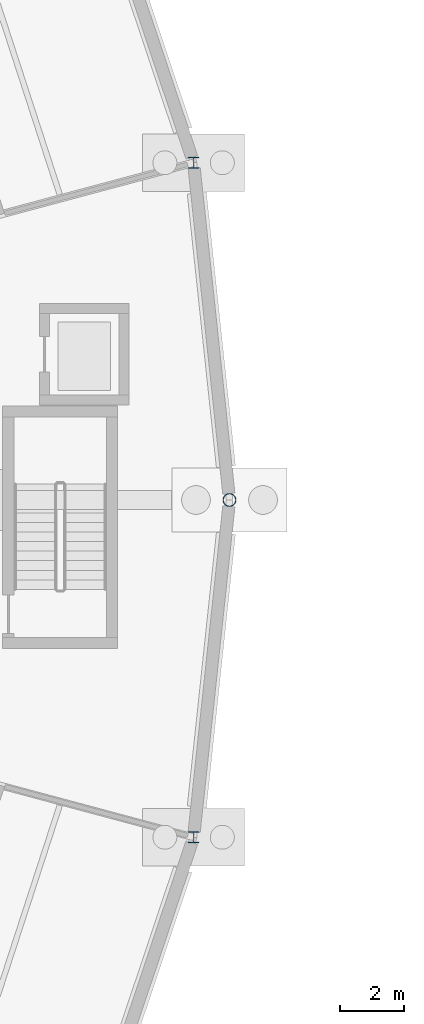
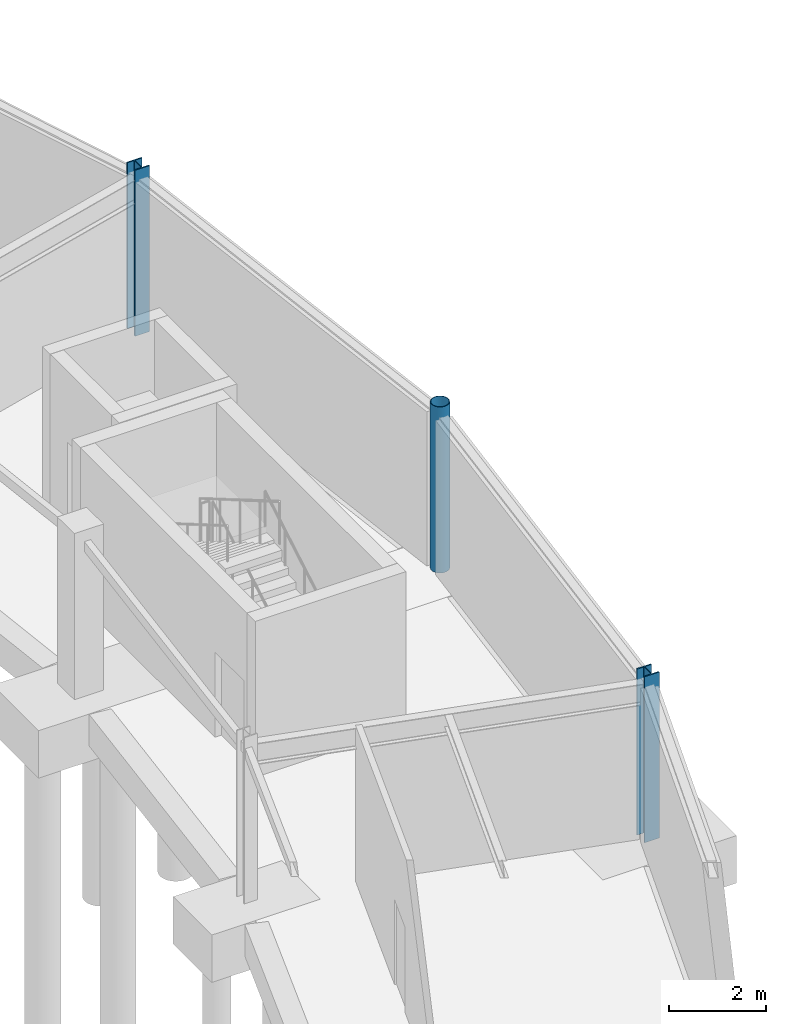
# One storey, part 17 of 58: 3 columns.
"""IFC4 building model written with IfcOpenShell, lengths in metres."""

from ifc_helpers import new_model, si_unit, direction, frame, origin, origin_2d, place, context, subcontext, project, spatial, hollow_circle, i_section, extrude, material, material_profile, profile_set, type_object, element, save


model = new_model("IFC4")

# Units and contexts
model_context = context("Model", 3, precision=1e-05, world=origin(), true_north=direction((0.0, 1.0)))
body_context = subcontext(model_context, "Body", "Model", "MODEL_VIEW")
ifc_project = project(units=[si_unit("LENGTHUNIT", "METRE"), si_unit("AREAUNIT", "SQUARE_METRE"), si_unit("VOLUMEUNIT", "CUBIC_METRE"), si_unit("PLANEANGLEUNIT", "RADIAN"), si_unit("MASSUNIT", "GRAM", prefix="KILO")], contexts=[model_context])

# Site, building, storey
site_placement = place(None, origin())
site = spatial("IfcSite", under=ifc_project, at=site_placement, CompositionType="ELEMENT")
building_placement = place(site_placement, origin())
building = spatial("IfcBuilding", under=site, at=building_placement, Name="Karori Crest Natural Sciences Institute", CompositionType="ELEMENT")
storey_placement = place(building_placement, frame((0.0, 0.0, -4.199951171875)))
storey = spatial("IfcBuildingStorey", under=building, at=storey_placement, Name="B1", CompositionType="ELEMENT", Elevation=-4.199951171875)

# Columns
ifc_material_1 = material(Name="Structural steel AS/NZS 3679.1 Grade 350", Category="steel")
ifc_material_profile_1 = material_profile(ifc_material_1, i_section(OverallWidth=0.35009765625, OverallDepth=0.35009765625, WebThickness=0.02001953125, FlangeThickness=0.031982421875, FilletRadius=0.01611328125, at=origin_2d()), Name="350WC280")
ifc_profile_set_1 = profile_set([ifc_material_profile_1], Name="Structural steel AS/NZS 3679.1 Grade 350")
column_type_1 = type_object("IfcColumnType", Name="CT-03", PredefinedType="COLUMN", material=ifc_profile_set_1)
for number, where, z_axis, x_axis, name in (
    (1, (98.275634765625, 60.459716796875, 0.0), (0.0, 0.0, 1.0), (1.0, 0.0, 0.0), "Column C-0019"),
    (2, (98.275634765625, 39.340087890625, 0.0), (0.0, 0.0, 1.0), (1.0, 0.0, 0.0), "Column C-0379"),
):
    element("IfcColumn", number, at=place(storey_placement, frame(where, z_axis=z_axis, x_axis=x_axis)), inside=storey, type_object=column_type_1, Name=name, PredefinedType="COLUMN", context=body_context, shape_type="SweptSolid", body=[
        extrude(i_section(OverallWidth=0.35009765625, OverallDepth=0.35009765625, WebThickness=0.02001953125, FlangeThickness=0.031982421875, FilletRadius=0.01611328125, at=origin_2d()), origin(), (0.0, 0.0, 1.0), 4.199951171875),
    ])
ifc_material_2 = material(Name="Hollow structural steel AS/NZS 1163 Grade C350", Category="steel")
ifc_material_profile_2 = material_profile(ifc_material_2, hollow_circle(Radius=0.203125, WallThickness=0.0126953125, at=origin_2d()), Name="CHS406.4x12.7")
ifc_profile_set_2 = profile_set([ifc_material_profile_2], Name="Hollow structural steel AS/NZS 1163 Grade C350")
column_type_2 = type_object("IfcColumnType", Name="CT-27", PredefinedType="COLUMN", material=ifc_profile_set_2)
column_placement = place(storey_placement, frame((99.39990234375, 49.89990234375, 0.0), z_axis=(0.0, 0.0, 1.0), x_axis=(1.0, 0.0, 0.0)))
element("IfcColumn", 3, at=column_placement, inside=storey, type_object=column_type_2, Name="Column C-0001", PredefinedType="COLUMN", context=body_context, shape_type="SweptSolid", body=[
    extrude(hollow_circle(Radius=0.203125, WallThickness=0.0126953125, at=origin_2d()), origin(), (0.0, 0.0, 1.0), 4.199951171875),
])

save(model, "model.ifc")
